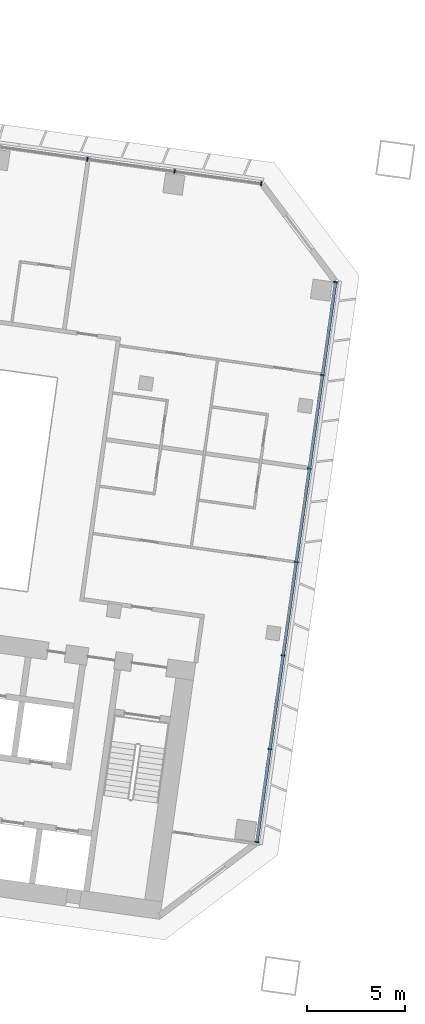
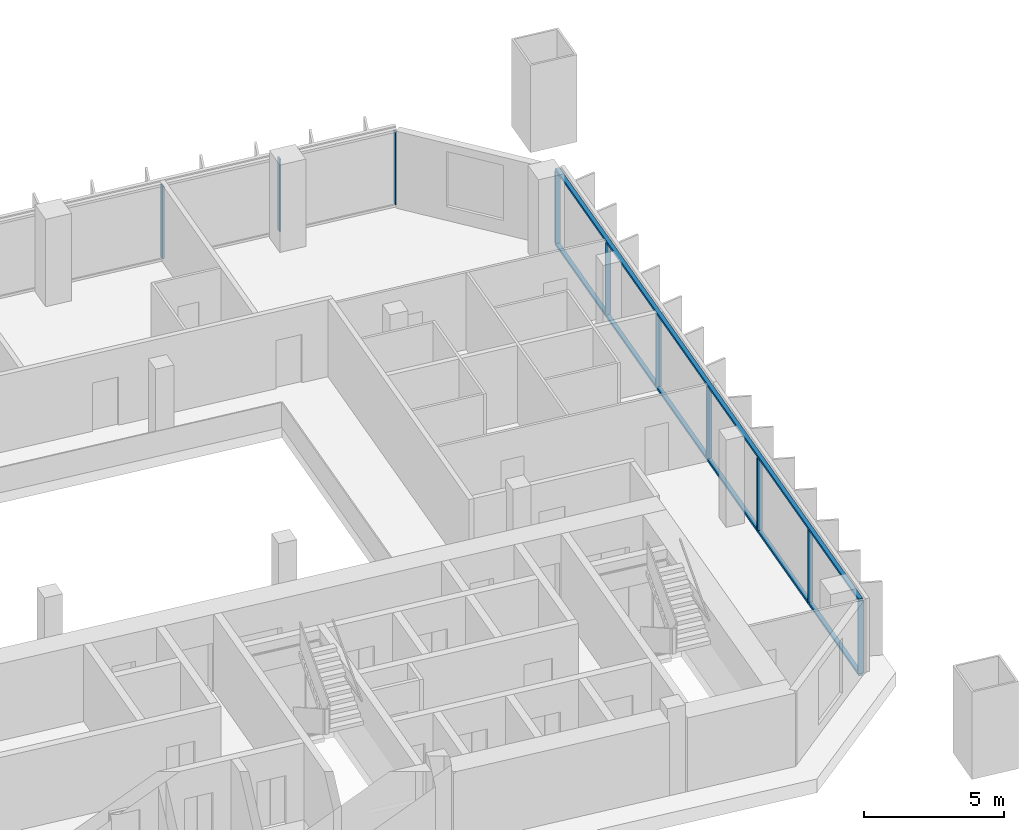
# One storey, part 6 of 24: 12 members, 2 elements without a shape of their own.
"""IFC4 building model written with IfcOpenShell, lengths in metres."""

from ifc_helpers import new_model, si_unit, direction, frame, origin, origin_2d, place, context, subcontext, project, spatial, rectangle, extrude, material, material_profile, profile_set, type_object, element, aggregate, save


model = new_model("IFC4")

# Units and contexts
model_context = context("Model", 3, precision=1e-05, world=origin(), true_north=direction((0.0, 1.0)))
body_context = subcontext(model_context, "Body", "Model", "MODEL_VIEW")
ifc_project = project(units=[si_unit("LENGTHUNIT", "METRE"), si_unit("AREAUNIT", "SQUARE_METRE"), si_unit("VOLUMEUNIT", "CUBIC_METRE"), si_unit("PLANEANGLEUNIT", "RADIAN"), si_unit("MASSUNIT", "GRAM", prefix="KILO")], contexts=[model_context])

# Site, building, storey
site_placement = place(None, origin())
site = spatial("IfcSite", under=ifc_project, at=site_placement, CompositionType="ELEMENT")
building_placement = place(site_placement, origin())
building = spatial("IfcBuilding", under=site, at=building_placement, Name="Mirante Cascada Hotel Towers", CompositionType="ELEMENT")
storey_placement = place(building_placement, frame((0.0, 0.0, 50.9)))
storey = spatial("IfcBuildingStorey", under=building, at=storey_placement, Name="L09", CompositionType="ELEMENT", Elevation=50.9)

# Curtain wall, members
ifc_material_1 = material(Name="Aluminium mullion and transom frame with clear laminated glass", Category="aluminium")
curtain_wall_type_1 = type_object("IfcCurtainWallType", Name="Ribbon curtain wall ECW1", PredefinedType="NOTDEFINED", material=ifc_material_1)
curtain_wall_1_placement = place(storey_placement, origin())
curtain_wall_1 = element("IfcCurtainWall", 1, at=curtain_wall_1_placement, inside=storey, type_object=curtain_wall_type_1, Name="Front ribbon wall T1 L09", PredefinedType="NOTDEFINED")
ifc_material_2 = material(Name="Anodised aluminium extrusion", Category="aluminium")
ifc_material_profile_1 = material_profile(ifc_material_2, rectangle(XDim=0.2, YDim=0.065, at=origin_2d()), Name="ECW1 MULLION 65x200")
ifc_profile_set_1 = profile_set([ifc_material_profile_1], Name="Anodised aluminium extrusion")
member_type_1 = type_object("IfcMemberType", Name="ECW1 mullion 65x200", PredefinedType="MULLION", material=ifc_profile_set_1)
member_1_placement = place(storey_placement, frame((-40.7892, 18.5516, 0.1), z_axis=(0.0, 0.0, 1.0), x_axis=(0.1391731, 0.9902681, 0.0)))
member_1 = element("IfcMember", 2, at=member_1_placement, type_object=member_type_1, Name="ECW1 mullion 13", PredefinedType="MULLION", context=body_context, shape_type="SweptSolid", body=[
    extrude(rectangle(XDim=0.2, YDim=0.065, at=origin_2d()), origin(), (0.0, 0.0, 1.0), 3.15),
])
member_2_placement = place(storey_placement, frame((-36.3417, 17.9265, 0.1), z_axis=(0.0, 0.0, 1.0), x_axis=(0.1391731, 0.9902681, 0.0)))
member_2 = element("IfcMember", 3, at=member_2_placement, type_object=member_type_1, Name="ECW1 mullion 14", PredefinedType="MULLION", context=body_context, shape_type="SweptSolid", body=[
    extrude(rectangle(XDim=0.2, YDim=0.065, at=origin_2d()), origin(), (0.0, 0.0, 1.0), 3.15),
])
member_3_placement = place(storey_placement, frame((-31.9265, 17.306, 0.1), z_axis=(0.0, 0.0, 1.0), x_axis=(0.1391731, 0.9902681, 0.0)))
member_3 = element("IfcMember", 4, at=member_3_placement, type_object=member_type_1, Name="ECW1 mullion 15", PredefinedType="MULLION", context=body_context, shape_type="SweptSolid", body=[
    extrude(rectangle(XDim=0.2, YDim=0.065, at=origin_2d()), origin(), (0.0, 0.0, 1.0), 3.15),
])
aggregate(curtain_wall_1, [member_1, member_2, member_3])

ifc_material_3 = material(Name="Aluminium mullion and transom frame with clear laminated glass", Category="aluminium")
curtain_wall_type_2 = type_object("IfcCurtainWallType", Name="End ribbon curtain wall ECW2", PredefinedType="NOTDEFINED", material=ifc_material_3)
curtain_wall_2_placement = place(storey_placement, origin())
curtain_wall_2 = element("IfcCurtainWall", 5, at=curtain_wall_2_placement, inside=storey, type_object=curtain_wall_type_2, Name="Inner end wall T1 L09", PredefinedType="NOTDEFINED")
ifc_material_4 = material(Name="Anodised aluminium extrusion", Category="aluminium")
ifc_material_profile_2 = material_profile(ifc_material_4, rectangle(XDim=0.2, YDim=0.065, at=origin_2d()), Name="ECW2 MULLION 65x200")
ifc_profile_set_2 = profile_set([ifc_material_profile_2], Name="Anodised aluminium extrusion")
member_type_2 = type_object("IfcMemberType", Name="ECW2 mullion 65x200", PredefinedType="MULLION", material=ifc_profile_set_2)
member_4_placement = place(storey_placement, frame((-28.1437, 12.2861, 0.1), z_axis=(0.0, 0.0, 1.0), x_axis=(0.9902681, -0.1391731, 0.0)))
member_4 = element("IfcMember", 6, at=member_4_placement, type_object=member_type_2, Name="ECW2 mullion 1", PredefinedType="MULLION", context=body_context, shape_type="SweptSolid", body=[
    extrude(rectangle(XDim=0.2, YDim=0.065, at=origin_2d()), origin(), (0.0, 0.0, 1.0), 3.15),
])
member_5_placement = place(storey_placement, frame((-28.809, 7.5524, 0.1), z_axis=(0.0, 0.0, 1.0), x_axis=(0.9902681, -0.1391731, 0.0)))
member_5 = element("IfcMember", 7, at=member_5_placement, type_object=member_type_2, Name="ECW2 mullion 2", PredefinedType="MULLION", context=body_context, shape_type="SweptSolid", body=[
    extrude(rectangle(XDim=0.2, YDim=0.065, at=origin_2d()), origin(), (0.0, 0.0, 1.0), 3.15),
])
member_6_placement = place(storey_placement, frame((-29.4788, 2.7867, 0.1), z_axis=(0.0, 0.0, 1.0), x_axis=(0.9902681, -0.1391731, 0.0)))
member_6 = element("IfcMember", 8, at=member_6_placement, type_object=member_type_2, Name="ECW2 mullion 3", PredefinedType="MULLION", context=body_context, shape_type="SweptSolid", body=[
    extrude(rectangle(XDim=0.2, YDim=0.065, at=origin_2d()), origin(), (0.0, 0.0, 1.0), 3.15),
])
member_7_placement = place(storey_placement, frame((-30.1485, -1.9791, 0.1), z_axis=(0.0, 0.0, 1.0), x_axis=(0.9902681, -0.1391731, 0.0)))
member_7 = element("IfcMember", 9, at=member_7_placement, type_object=member_type_2, Name="ECW2 mullion 4", PredefinedType="MULLION", context=body_context, shape_type="SweptSolid", body=[
    extrude(rectangle(XDim=0.2, YDim=0.065, at=origin_2d()), origin(), (0.0, 0.0, 1.0), 3.15),
])
member_8_placement = place(storey_placement, frame((-30.8183, -6.7449, 0.1), z_axis=(0.0, 0.0, 1.0), x_axis=(0.9902681, -0.1391731, 0.0)))
member_8 = element("IfcMember", 10, at=member_8_placement, type_object=member_type_2, Name="ECW2 mullion 5", PredefinedType="MULLION", context=body_context, shape_type="SweptSolid", body=[
    extrude(rectangle(XDim=0.2, YDim=0.065, at=origin_2d()), origin(), (0.0, 0.0, 1.0), 3.15),
])
member_9_placement = place(storey_placement, frame((-31.4881, -11.5107, 0.1), z_axis=(0.0, 0.0, 1.0), x_axis=(0.9902681, -0.1391731, 0.0)))
member_9 = element("IfcMember", 11, at=member_9_placement, type_object=member_type_2, Name="ECW2 mullion 6", PredefinedType="MULLION", context=body_context, shape_type="SweptSolid", body=[
    extrude(rectangle(XDim=0.2, YDim=0.065, at=origin_2d()), origin(), (0.0, 0.0, 1.0), 3.15),
])
member_10_placement = place(storey_placement, frame((-32.1534, -16.2443, 0.1), z_axis=(0.0, 0.0, 1.0), x_axis=(0.9902681, -0.1391731, 0.0)))
member_10 = element("IfcMember", 12, at=member_10_placement, type_object=member_type_2, Name="ECW2 mullion 7", PredefinedType="MULLION", context=body_context, shape_type="SweptSolid", body=[
    extrude(rectangle(XDim=0.2, YDim=0.065, at=origin_2d()), origin(), (0.0, 0.0, 1.0), 3.15),
])
ifc_material_5 = material(Name="Anodised aluminium extrusion", Category="aluminium")
ifc_material_profile_3 = material_profile(ifc_material_5, rectangle(XDim=0.16, YDim=0.1, at=origin_2d()), Name="ECW2 TRANSOM 100x160")
ifc_profile_set_3 = profile_set([ifc_material_profile_3], Name="Anodised aluminium extrusion")
member_type_3 = type_object("IfcMemberType", Name="ECW2 transom 100x160", PredefinedType="USERDEFINED", material=ifc_profile_set_3)
member_11_placement = place(storey_placement, frame((-28.1392, 12.3182, 0.05), z_axis=(-0.1391723, -0.9902682, 0.0), x_axis=(0.9902682, -0.1391723, 0.0)))
member_11 = element("IfcMember", 13, at=member_11_placement, type_object=member_type_3, Name="ECW2 sill transom", ObjectType="TRANSOM", PredefinedType="USERDEFINED", context=body_context, shape_type="SweptSolid", body=[
    extrude(rectangle(XDim=0.16, YDim=0.1, at=origin_2d()), origin(), (0.0, 0.0, 1.0), 28.8757),
])
member_12_placement = place(storey_placement, frame((-28.1392, 12.3182, 3.3), z_axis=(-0.1391723, -0.9902682, 0.0), x_axis=(0.9902682, -0.1391723, 0.0)))
member_12 = element("IfcMember", 14, at=member_12_placement, type_object=member_type_3, Name="ECW2 head transom", ObjectType="TRANSOM", PredefinedType="USERDEFINED", context=body_context, shape_type="SweptSolid", body=[
    extrude(rectangle(XDim=0.16, YDim=0.1, at=origin_2d()), origin(), (0.0, 0.0, 1.0), 28.8757),
])
aggregate(curtain_wall_2, [member_11, member_12, member_4, member_5, member_6, member_7, member_8, member_9, member_10])

save(model, "model.ifc")
